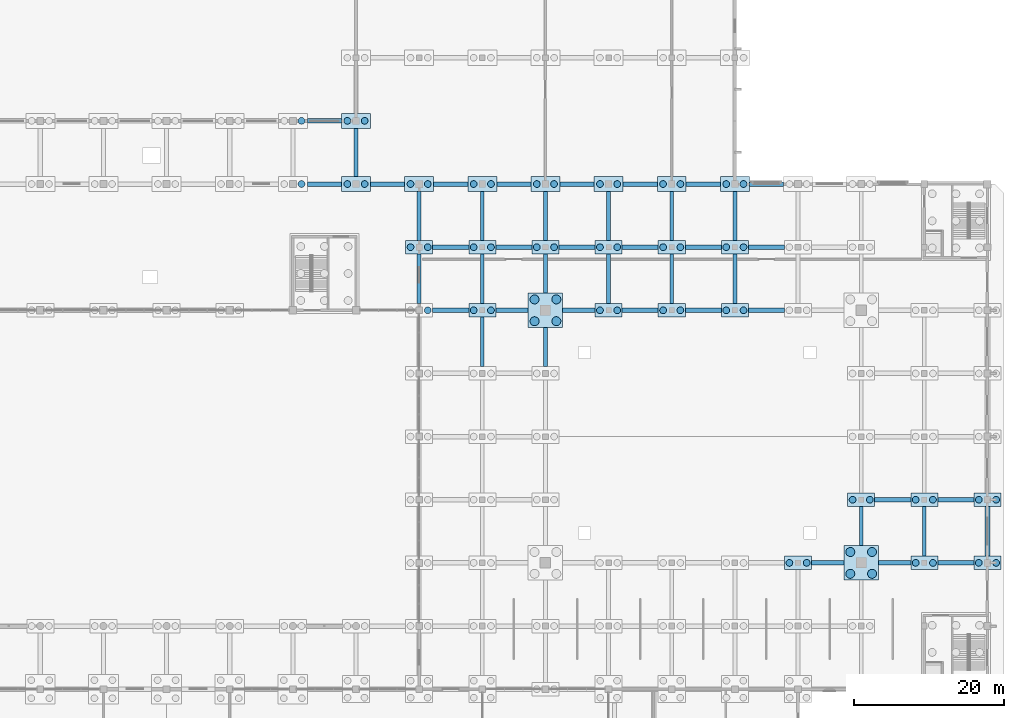
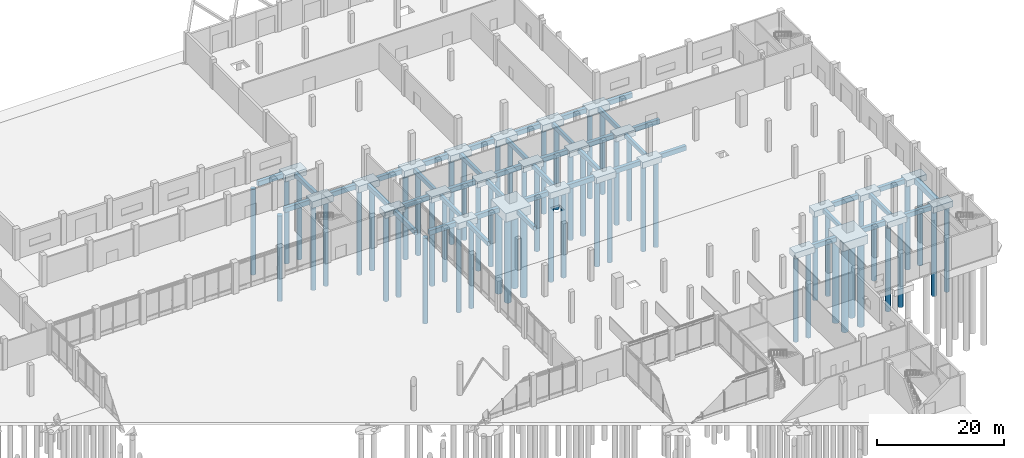
# One storey, part 10 of 72: 70 footings, 59 piles.
"""IFC4 building model written with IfcOpenShell, lengths in metres."""

from ifc_helpers import new_model, si_unit, direction, frame, origin, origin_2d, place, context, subcontext, project, spatial, rectangle, circle, extrude, material, layer, layer_set, material_profile, profile_set, type_object, element, save


model = new_model("IFC4")

# Units and contexts
model_context = context("Model", 3, precision=1e-05, world=origin(), true_north=direction((0.0, 1.0)))
body_context = subcontext(model_context, "Body", "Model", "MODEL_VIEW")
ifc_project = project(units=[si_unit("LENGTHUNIT", "METRE"), si_unit("AREAUNIT", "SQUARE_METRE"), si_unit("VOLUMEUNIT", "CUBIC_METRE"), si_unit("PLANEANGLEUNIT", "RADIAN"), si_unit("MASSUNIT", "GRAM", prefix="KILO")], contexts=[model_context])

# Site, building, storey
site_placement = place(None, origin())
site = spatial("IfcSite", under=ifc_project, at=site_placement, CompositionType="ELEMENT")
building_placement = place(site_placement, origin())
building = spatial("IfcBuilding", under=site, at=building_placement, Name="Qawsi Khor Wholesale Market", CompositionType="ELEMENT")
storey_placement = place(building_placement, origin())
storey = spatial("IfcBuildingStorey", under=building, at=storey_placement, Name="L00", CompositionType="ELEMENT", Elevation=0.0)

# Piles
ifc_material = material(Name="Concrete C45/55", Category="concrete")
ifc_material_profile_1 = material_profile(ifc_material, circle(Radius=0.60009765625, at=origin_2d()), Name="PILE D1200")
ifc_profile_set_1 = profile_set([ifc_material_profile_1], Name="Concrete C45/55")
pile_type_1 = type_object("IfcPileType", Name="Bored Pile D1200 C45/55", PredefinedType="BORED", material=ifc_profile_set_1)
for number, where, z_axis, x_axis, name in (
    (1, (158.14990234375, 90.949951171875, -1.93994140625), (0.0, 0.0, -1.0), (1.0, 0.0, 0.0), "Mega-column pile 19_+11-1"),
    (2, (161.050048828125, 90.949951171875, -1.93994140625), (0.0, 0.0, -1.0), (1.0, 0.0, 0.0), "Mega-column pile 19_+11-2"),
    (3, (158.14990234375, 93.85009765625, -1.93994140625), (0.0, 0.0, -1.0), (1.0, 0.0, 0.0), "Mega-column pile 19_+11-3"),
    (4, (161.050048828125, 93.85009765625, -1.93994140625), (0.0, 0.0, -1.0), (1.0, 0.0, 0.0), "Mega-column pile 19_+11-4"),
    (5, (200.14990234375, 57.35009765625, -1.93994140625), (0.0, 0.0, -1.0), (1.0, 0.0, 0.0), "Mega-column pile 24_+07-1"),
    (6, (203.050048828125, 57.35009765625, -1.93994140625), (0.0, 0.0, -1.0), (1.0, 0.0, 0.0), "Mega-column pile 24_+07-2"),
    (7, (200.14990234375, 60.25, -1.93994140625), (0.0, 0.0, -1.0), (1.0, 0.0, 0.0), "Mega-column pile 24_+07-3"),
    (8, (203.050048828125, 60.25, -1.93994140625), (0.0, 0.0, -1.0), (1.0, 0.0, 0.0), "Mega-column pile 24_+07-4"),
):
    element("IfcPile", number, at=place(storey_placement, frame(where, z_axis=z_axis, x_axis=x_axis)), inside=storey, type_object=pile_type_1, Name=name, PredefinedType="BORED", context=body_context, shape_type="SweptSolid", body=[
        extrude(circle(Radius=0.60009765625, at=origin_2d()), origin(), (0.0, 0.0, 1.0), 16.06005859375),
    ])
ifc_material_profile_2 = material_profile(ifc_material, circle(Radius=0.449951171875, at=origin_2d()), Name="PILE D900")
ifc_profile_set_2 = profile_set([ifc_material_profile_2], Name="Concrete C45/55")
pile_type_2 = type_object("IfcPileType", Name="Bored Pile D900 C45/55", PredefinedType="BORED", material=ifc_profile_set_2)
for number, where, z_axis, x_axis, name in (
    (9, (127.14990234375, 109.199951171875, -1.5), (0.0, 0.0, -1.0), (1.0, 0.0, 0.0), "Bored pile 15_+13-2"),
    (10, (127.14990234375, 117.60009765625, -1.5), (0.0, 0.0, -1.0), (1.0, 0.0, 0.0), "Bored pile 15_+14-2"),
    (11, (133.25, 109.199951171875, -1.5), (0.0, 0.0, -1.0), (1.0, 0.0, 0.0), "Bored pile 16_+13-1"),
    (12, (135.550048828125, 109.199951171875, -1.5), (0.0, 0.0, -1.0), (1.0, 0.0, 0.0), "Bored pile 16_+13-2"),
    (13, (133.25, 117.60009765625, -1.5), (0.0, 0.0, -1.0), (1.0, 0.0, 0.0), "Bored pile 16_+14-1"),
    (14, (135.550048828125, 117.60009765625, -1.5), (0.0, 0.0, -1.0), (1.0, 0.0, 0.0), "Bored pile 16_+14-2"),
    (15, (143.949951171875, 92.39990234375, -1.5), (0.0, 0.0, -1.0), (1.0, 0.0, 0.0), "Bored pile 17_+11-2"),
    (16, (141.64990234375, 100.800048828125, -1.5), (0.0, 0.0, -1.0), (1.0, 0.0, 0.0), "Bored pile 17_+12-1"),
    (17, (143.949951171875, 100.800048828125, -1.5), (0.0, 0.0, -1.0), (1.0, 0.0, 0.0), "Bored pile 17_+12-2"),
    (18, (141.64990234375, 109.199951171875, -1.5), (0.0, 0.0, -1.0), (1.0, 0.0, 0.0), "Bored pile 17_+13-1"),
    (19, (143.949951171875, 109.199951171875, -1.5), (0.0, 0.0, -1.0), (1.0, 0.0, 0.0), "Bored pile 17_+13-2"),
    (20, (150.050048828125, 92.39990234375, -1.5), (0.0, 0.0, -1.0), (1.0, 0.0, 0.0), "Bored pile 18_+11-1"),
    (21, (152.35009765625, 92.39990234375, -1.5), (0.0, 0.0, -1.0), (1.0, 0.0, 0.0), "Bored pile 18_+11-2"),
    (22, (150.050048828125, 100.800048828125, -1.5), (0.0, 0.0, -1.0), (1.0, 0.0, 0.0), "Bored pile 18_+12-1"),
    (23, (152.35009765625, 100.800048828125, -1.5), (0.0, 0.0, -1.0), (1.0, 0.0, 0.0), "Bored pile 18_+12-2"),
    (24, (150.050048828125, 109.199951171875, -1.5), (0.0, 0.0, -1.0), (1.0, 0.0, 0.0), "Bored pile 18_+13-1"),
    (25, (152.35009765625, 109.199951171875, -1.5), (0.0, 0.0, -1.0), (1.0, 0.0, 0.0), "Bored pile 18_+13-2"),
    (26, (158.449951171875, 100.800048828125, -1.5), (0.0, 0.0, -1.0), (1.0, 0.0, 0.0), "Bored pile 19_+12-1"),
    (27, (160.75, 100.800048828125, -1.5), (0.0, 0.0, -1.0), (1.0, 0.0, 0.0), "Bored pile 19_+12-2"),
    (28, (158.449951171875, 109.199951171875, -1.5), (0.0, 0.0, -1.0), (1.0, 0.0, 0.0), "Bored pile 19_+13-1"),
    (29, (160.75, 109.199951171875, -1.5), (0.0, 0.0, -1.0), (1.0, 0.0, 0.0), "Bored pile 19_+13-2"),
    (30, (166.85009765625, 92.39990234375, -1.5), (0.0, 0.0, -1.0), (1.0, 0.0, 0.0), "Bored pile 20_+11-1"),
    (31, (169.14990234375, 92.39990234375, -1.5), (0.0, 0.0, -1.0), (1.0, 0.0, 0.0), "Bored pile 20_+11-2"),
    (32, (166.85009765625, 100.800048828125, -1.5), (0.0, 0.0, -1.0), (1.0, 0.0, 0.0), "Bored pile 20_+12-1"),
    (33, (169.14990234375, 100.800048828125, -1.5), (0.0, 0.0, -1.0), (1.0, 0.0, 0.0), "Bored pile 20_+12-2"),
    (34, (166.85009765625, 109.199951171875, -1.5), (0.0, 0.0, -1.0), (1.0, 0.0, 0.0), "Bored pile 20_+13-1"),
    (35, (169.14990234375, 109.199951171875, -1.5), (0.0, 0.0, -1.0), (1.0, 0.0, 0.0), "Bored pile 20_+13-2"),
    (36, (175.25, 92.39990234375, -1.5), (0.0, 0.0, -1.0), (1.0, 0.0, 0.0), "Bored pile 21_+11-1"),
    (37, (177.550048828125, 92.39990234375, -1.5), (0.0, 0.0, -1.0), (1.0, 0.0, 0.0), "Bored pile 21_+11-2"),
    (38, (175.25, 100.800048828125, -1.5), (0.0, 0.0, -1.0), (1.0, 0.0, 0.0), "Bored pile 21_+12-1"),
    (39, (177.550048828125, 100.800048828125, -1.5), (0.0, 0.0, -1.0), (1.0, 0.0, 0.0), "Bored pile 21_+12-2"),
    (40, (175.25, 109.199951171875, -1.5), (0.0, 0.0, -1.0), (1.0, 0.0, 0.0), "Bored pile 21_+13-1"),
    (41, (177.550048828125, 109.199951171875, -1.5), (0.0, 0.0, -1.0), (1.0, 0.0, 0.0), "Bored pile 21_+13-2"),
    (42, (183.64990234375, 92.39990234375, -1.5), (0.0, 0.0, -1.0), (1.0, 0.0, 0.0), "Bored pile 22_+11-1"),
    (43, (185.949951171875, 92.39990234375, -1.5), (0.0, 0.0, -1.0), (1.0, 0.0, 0.0), "Bored pile 22_+11-2"),
    (44, (183.64990234375, 100.800048828125, -1.5), (0.0, 0.0, -1.0), (1.0, 0.0, 0.0), "Bored pile 22_+12-1"),
    (45, (185.949951171875, 100.800048828125, -1.5), (0.0, 0.0, -1.0), (1.0, 0.0, 0.0), "Bored pile 22_+12-2"),
    (46, (183.64990234375, 109.199951171875, -1.5), (0.0, 0.0, -1.0), (1.0, 0.0, 0.0), "Bored pile 22_+13-1"),
    (47, (185.949951171875, 109.199951171875, -1.5), (0.0, 0.0, -1.0), (1.0, 0.0, 0.0), "Bored pile 22_+13-2"),
    (48, (192.050048828125, 58.800048828125, -1.5), (0.0, 0.0, -1.0), (1.0, 0.0, 0.0), "Bored pile 23_+07-1"),
    (49, (194.35009765625, 58.800048828125, -1.5), (0.0, 0.0, -1.0), (1.0, 0.0, 0.0), "Bored pile 23_+07-2"),
    (50, (200.449951171875, 67.199951171875, -1.5), (0.0, 0.0, -1.0), (1.0, 0.0, 0.0), "Bored pile 24_+08-1"),
    (51, (202.75, 67.199951171875, -1.5), (0.0, 0.0, -1.0), (1.0, 0.0, 0.0), "Bored pile 24_+08-2"),
    (52, (208.85009765625, 58.800048828125, -1.5), (0.0, 0.0, -1.0), (1.0, 0.0, 0.0), "Bored pile 25_+07-1"),
    (53, (211.14990234375, 58.800048828125, -1.5), (0.0, 0.0, -1.0), (1.0, 0.0, 0.0), "Bored pile 25_+07-2"),
    (54, (208.85009765625, 67.199951171875, -1.5), (0.0, 0.0, -1.0), (1.0, 0.0, 0.0), "Bored pile 25_+08-1"),
    (55, (211.14990234375, 67.199951171875, -1.5), (0.0, 0.0, -1.0), (1.0, 0.0, 0.0), "Bored pile 25_+08-2"),
    (56, (217.25, 58.800048828125, -1.5), (0.0, 0.0, -1.0), (1.0, 0.0, 0.0), "Bored pile 26_+07-1"),
    (57, (219.550048828125, 58.800048828125, -1.5), (0.0, 0.0, -1.0), (1.0, 0.0, 0.0), "Bored pile 26_+07-2"),
    (58, (217.25, 67.199951171875, -1.5), (0.0, 0.0, -1.0), (1.0, 0.0, 0.0), "Bored pile 26_+08-1"),
    (59, (219.550048828125, 67.199951171875, -1.5), (0.0, 0.0, -1.0), (1.0, 0.0, 0.0), "Bored pile 26_+08-2"),
):
    element("IfcPile", number, at=place(storey_placement, frame(where, z_axis=z_axis, x_axis=x_axis)), inside=storey, type_object=pile_type_2, Name=name, PredefinedType="BORED", context=body_context, shape_type="SweptSolid", body=[
        extrude(circle(Radius=0.449951171875, at=origin_2d()), origin(), (0.0, 0.0, 1.0), 16.5),
    ])

# Footings
ifc_material_profile_3 = material_profile(ifc_material, rectangle(XDim=0.60009765625, YDim=0.89990234375, at=origin_2d()), Name="RC 600x900")
ifc_profile_set_3 = profile_set([ifc_material_profile_3], Name="Concrete C45/55")
footing_type_1 = type_object("IfcFootingType", Name="Ground Tie-Beam GTB 600x900", PredefinedType="FOOTING_BEAM", material=ifc_profile_set_3)
for number, where, z_axis, x_axis, name in (
    (60, (127.925048828125, 109.199951171875, -0.840087890625), (1.0, 0.0, 0.0), (0.0, 1.0, 0.0), "Ground tie-beam X 15-16 at Y=109.2"),
    (61, (127.925048828125, 117.60009765625, -0.840087890625), (1.0, 0.0, 0.0), (0.0, 1.0, 0.0), "Ground tie-beam X 15-16 at Y=117.6"),
    (62, (136.324951171875, 109.199951171875, -0.840087890625), (1.0, 0.0, 0.0), (0.0, 1.0, 0.0), "Ground tie-beam X 16-17 at Y=109.2"),
):
    element("IfcFooting", number, at=place(storey_placement, frame(where, z_axis=z_axis, x_axis=x_axis)), inside=storey, type_object=footing_type_1, Name=name, PredefinedType="FOOTING_BEAM", context=body_context, shape_type="SweptSolid", body=[
        extrude(rectangle(XDim=0.60009765625, YDim=0.89990234375, at=origin_2d()), origin(), (0.0, 0.0, 1.0), 4.550048828125),
    ])
for number, where, z_axis, x_axis, name in (
    (63, (144.60009765625, 92.39990234375, -0.840087890625), (1.0, 0.0, 0.0), (0.0, 1.0, 0.0), "Ground tie-beam X 17-18 at Y=92.4"),
    (64, (144.60009765625, 100.800048828125, -0.840087890625), (1.0, 0.0, 0.0), (0.0, 1.0, 0.0), "Ground tie-beam X 17-18 at Y=100.8"),
):
    element("IfcFooting", number, at=place(storey_placement, frame(where, z_axis=z_axis, x_axis=x_axis)), inside=storey, type_object=footing_type_1, Name=name, PredefinedType="FOOTING_BEAM", context=body_context, shape_type="SweptSolid", body=[
        extrude(rectangle(XDim=0.60009765625, YDim=0.89990234375, at=origin_2d()), origin(), (0.0, 0.0, 1.0), 4.7998046875),
    ])
footing_1_placement = place(storey_placement, frame((144.72509765625, 109.199951171875, -0.840087890625), z_axis=(1.0, 0.0, 0.0), x_axis=(0.0, 1.0, 0.0)))
element("IfcFooting", 65, at=footing_1_placement, inside=storey, type_object=footing_type_1, Name="Ground tie-beam X 17-18 at Y=109.2", PredefinedType="FOOTING_BEAM", context=body_context, shape_type="SweptSolid", body=[
    extrude(rectangle(XDim=0.60009765625, YDim=0.89990234375, at=origin_2d()), origin(), (0.0, 0.0, 1.0), 4.5498046875),
])
footing_2_placement = place(storey_placement, frame((153.0, 92.39990234375, -0.840087890625), z_axis=(1.0, 0.0, 0.0), x_axis=(0.0, 1.0, 0.0)))
element("IfcFooting", 66, at=footing_2_placement, inside=storey, type_object=footing_type_1, Name="Ground tie-beam X 18-19 at Y=92.4", PredefinedType="FOOTING_BEAM", context=body_context, shape_type="SweptSolid", body=[
    extrude(rectangle(XDim=0.60009765625, YDim=0.89990234375, at=origin_2d()), origin(), (0.0, 0.0, 1.0), 4.300048828125),
])
footing_3_placement = place(storey_placement, frame((153.0, 100.800048828125, -0.840087890625), z_axis=(1.0, 0.0, 0.0), x_axis=(0.0, 1.0, 0.0)))
element("IfcFooting", 67, at=footing_3_placement, inside=storey, type_object=footing_type_1, Name="Ground tie-beam X 18-19 at Y=100.8", PredefinedType="FOOTING_BEAM", context=body_context, shape_type="SweptSolid", body=[
    extrude(rectangle(XDim=0.60009765625, YDim=0.89990234375, at=origin_2d()), origin(), (0.0, 0.0, 1.0), 4.800048828125),
])
footing_4_placement = place(storey_placement, frame((153.125, 109.199951171875, -0.840087890625), z_axis=(1.0, 0.0, 0.0), x_axis=(0.0, 1.0, 0.0)))
element("IfcFooting", 68, at=footing_4_placement, inside=storey, type_object=footing_type_1, Name="Ground tie-beam X 18-19 at Y=109.2", PredefinedType="FOOTING_BEAM", context=body_context, shape_type="SweptSolid", body=[
    extrude(rectangle(XDim=0.60009765625, YDim=0.89990234375, at=origin_2d()), origin(), (0.0, 0.0, 1.0), 4.550048828125),
])
footing_5_placement = place(storey_placement, frame((161.89990234375, 92.39990234375, -0.840087890625), z_axis=(1.0, 0.0, 0.0), x_axis=(0.0, 1.0, 0.0)))
element("IfcFooting", 69, at=footing_5_placement, inside=storey, type_object=footing_type_1, Name="Ground tie-beam X 19-20 at Y=92.4", PredefinedType="FOOTING_BEAM", context=body_context, shape_type="SweptSolid", body=[
    extrude(rectangle(XDim=0.60009765625, YDim=0.89990234375, at=origin_2d()), origin(), (0.0, 0.0, 1.0), 4.300048828125),
])
footing_6_placement = place(storey_placement, frame((161.39990234375, 100.800048828125, -0.840087890625), z_axis=(1.0, 0.0, 0.0), x_axis=(0.0, 1.0, 0.0)))
element("IfcFooting", 70, at=footing_6_placement, inside=storey, type_object=footing_type_1, Name="Ground tie-beam X 19-20 at Y=100.8", PredefinedType="FOOTING_BEAM", context=body_context, shape_type="SweptSolid", body=[
    extrude(rectangle(XDim=0.60009765625, YDim=0.89990234375, at=origin_2d()), origin(), (0.0, 0.0, 1.0), 4.800048828125),
])
footing_7_placement = place(storey_placement, frame((161.52490234375, 109.199951171875, -0.840087890625), z_axis=(1.0, 0.0, 0.0), x_axis=(0.0, 1.0, 0.0)))
element("IfcFooting", 71, at=footing_7_placement, inside=storey, type_object=footing_type_1, Name="Ground tie-beam X 19-20 at Y=109.2", PredefinedType="FOOTING_BEAM", context=body_context, shape_type="SweptSolid", body=[
    extrude(rectangle(XDim=0.60009765625, YDim=0.89990234375, at=origin_2d()), origin(), (0.0, 0.0, 1.0), 4.550048828125),
])
for number, where, z_axis, x_axis, name in (
    (72, (169.800048828125, 92.39990234375, -0.840087890625), (1.0, 0.0, 0.0), (0.0, 1.0, 0.0), "Ground tie-beam X 20-21 at Y=92.4"),
    (73, (169.800048828125, 100.800048828125, -0.840087890625), (1.0, 0.0, 0.0), (0.0, 1.0, 0.0), "Ground tie-beam X 20-21 at Y=100.8"),
):
    element("IfcFooting", number, at=place(storey_placement, frame(where, z_axis=z_axis, x_axis=x_axis)), inside=storey, type_object=footing_type_1, Name=name, PredefinedType="FOOTING_BEAM", context=body_context, shape_type="SweptSolid", body=[
        extrude(rectangle(XDim=0.60009765625, YDim=0.89990234375, at=origin_2d()), origin(), (0.0, 0.0, 1.0), 4.800048828125),
    ])
footing_8_placement = place(storey_placement, frame((169.925048828125, 109.199951171875, -0.840087890625), z_axis=(1.0, 0.0, 0.0), x_axis=(0.0, 1.0, 0.0)))
element("IfcFooting", 74, at=footing_8_placement, inside=storey, type_object=footing_type_1, Name="Ground tie-beam X 20-21 at Y=109.2", PredefinedType="FOOTING_BEAM", context=body_context, shape_type="SweptSolid", body=[
    extrude(rectangle(XDim=0.60009765625, YDim=0.89990234375, at=origin_2d()), origin(), (0.0, 0.0, 1.0), 4.550048828125),
])
for number, where, z_axis, x_axis, name in (
    (75, (178.199951171875, 92.39990234375, -0.840087890625), (1.0, 0.0, 0.0), (0.0, 1.0, 0.0), "Ground tie-beam X 21-22 at Y=92.4"),
    (76, (178.199951171875, 100.800048828125, -0.840087890625), (1.0, 0.0, 0.0), (0.0, 1.0, 0.0), "Ground tie-beam X 21-22 at Y=100.8"),
):
    element("IfcFooting", number, at=place(storey_placement, frame(where, z_axis=z_axis, x_axis=x_axis)), inside=storey, type_object=footing_type_1, Name=name, PredefinedType="FOOTING_BEAM", context=body_context, shape_type="SweptSolid", body=[
        extrude(rectangle(XDim=0.60009765625, YDim=0.89990234375, at=origin_2d()), origin(), (0.0, 0.0, 1.0), 4.800048828125),
    ])
footing_9_placement = place(storey_placement, frame((178.324951171875, 109.199951171875, -0.840087890625), z_axis=(1.0, 0.0, 0.0), x_axis=(0.0, 1.0, 0.0)))
element("IfcFooting", 77, at=footing_9_placement, inside=storey, type_object=footing_type_1, Name="Ground tie-beam X 21-22 at Y=109.2", PredefinedType="FOOTING_BEAM", context=body_context, shape_type="SweptSolid", body=[
    extrude(rectangle(XDim=0.60009765625, YDim=0.89990234375, at=origin_2d()), origin(), (0.0, 0.0, 1.0), 4.550048828125),
])
for number, where, z_axis, x_axis, name in (
    (78, (186.60009765625, 92.39990234375, -0.840087890625), (1.0, 0.0, 0.0), (0.0, 1.0, 0.0), "Ground tie-beam X 22-23 at Y=92.4"),
    (79, (186.60009765625, 100.800048828125, -0.840087890625), (1.0, 0.0, 0.0), (0.0, 1.0, 0.0), "Ground tie-beam X 22-23 at Y=100.8"),
):
    element("IfcFooting", number, at=place(storey_placement, frame(where, z_axis=z_axis, x_axis=x_axis)), inside=storey, type_object=footing_type_1, Name=name, PredefinedType="FOOTING_BEAM", context=body_context, shape_type="SweptSolid", body=[
        extrude(rectangle(XDim=0.60009765625, YDim=0.89990234375, at=origin_2d()), origin(), (0.0, 0.0, 1.0), 4.7998046875),
    ])
footing_10_placement = place(storey_placement, frame((186.72509765625, 109.199951171875, -0.840087890625), z_axis=(1.0, 0.0, 0.0), x_axis=(0.0, 1.0, 0.0)))
element("IfcFooting", 80, at=footing_10_placement, inside=storey, type_object=footing_type_1, Name="Ground tie-beam X 22-23 at Y=109.2", PredefinedType="FOOTING_BEAM", context=body_context, shape_type="SweptSolid", body=[
    extrude(rectangle(XDim=0.60009765625, YDim=0.89990234375, at=origin_2d()), origin(), (0.0, 0.0, 1.0), 4.5498046875),
])
for number, where, z_axis, x_axis, name in (
    (81, (195.0, 58.800048828125, -0.840087890625), (1.0, 0.0, 0.0), (0.0, 1.0, 0.0), "Ground tie-beam X 23-24 at Y=58.8"),
    (82, (203.89990234375, 58.800048828125, -0.840087890625), (1.0, 0.0, 0.0), (0.0, 1.0, 0.0), "Ground tie-beam X 24-25 at Y=58.8"),
):
    element("IfcFooting", number, at=place(storey_placement, frame(where, z_axis=z_axis, x_axis=x_axis)), inside=storey, type_object=footing_type_1, Name=name, PredefinedType="FOOTING_BEAM", context=body_context, shape_type="SweptSolid", body=[
        extrude(rectangle(XDim=0.60009765625, YDim=0.89990234375, at=origin_2d()), origin(), (0.0, 0.0, 1.0), 4.300048828125),
    ])
for number, where, z_axis, x_axis, name in (
    (83, (203.39990234375, 67.199951171875, -0.840087890625), (1.0, 0.0, 0.0), (0.0, 1.0, 0.0), "Ground tie-beam X 24-25 at Y=67.2"),
    (84, (211.800048828125, 58.800048828125, -0.840087890625), (1.0, 0.0, 0.0), (0.0, 1.0, 0.0), "Ground tie-beam X 25-26 at Y=58.8"),
    (85, (211.800048828125, 67.199951171875, -0.840087890625), (1.0, 0.0, 0.0), (0.0, 1.0, 0.0), "Ground tie-beam X 25-26 at Y=67.2"),
):
    element("IfcFooting", number, at=place(storey_placement, frame(where, z_axis=z_axis, x_axis=x_axis)), inside=storey, type_object=footing_type_1, Name=name, PredefinedType="FOOTING_BEAM", context=body_context, shape_type="SweptSolid", body=[
        extrude(rectangle(XDim=0.60009765625, YDim=0.89990234375, at=origin_2d()), origin(), (0.0, 0.0, 1.0), 4.800048828125),
    ])
ifc_material_profile_4 = material_profile(ifc_material, rectangle(XDim=0.5, YDim=0.800048828125, at=origin_2d()), Name="RC 500x800")
ifc_profile_set_4 = profile_set([ifc_material_profile_4], Name="Concrete C45/55")
footing_type_2 = type_object("IfcFootingType", Name="Hall Tie-Beam GTB 500x800", PredefinedType="FOOTING_BEAM", material=ifc_profile_set_4)
footing_11_placement = place(storey_placement, frame((151.199951171875, 84.89990234375, -0.7900390625), z_axis=(0.0, 1.0, 0.0), x_axis=(-1.0, 0.0, 0.0)))
element("IfcFooting", 86, at=footing_11_placement, inside=storey, type_object=footing_type_2, Name="Ground tie-beam Y 10-11 at X=151.2", PredefinedType="FOOTING_BEAM", context=body_context, shape_type="SweptSolid", body=[
    extrude(rectangle(XDim=0.5, YDim=0.800048828125, at=origin_2d()), origin(), (0.0, 0.0, 1.0), 6.60009765625),
])
footing_12_placement = place(storey_placement, frame((151.199951171875, 93.300048828125, -0.7900390625), z_axis=(0.0, 1.0, 0.0), x_axis=(-1.0, 0.0, 0.0)))
element("IfcFooting", 87, at=footing_12_placement, inside=storey, type_object=footing_type_2, Name="Ground tie-beam Y 11-12 at X=151.2", PredefinedType="FOOTING_BEAM", context=body_context, shape_type="SweptSolid", body=[
    extrude(rectangle(XDim=0.5, YDim=0.800048828125, at=origin_2d()), origin(), (0.0, 0.0, 1.0), 6.599853515625),
])
footing_13_placement = place(storey_placement, frame((151.199951171875, 101.699951171875, -0.7900390625), z_axis=(0.0, 1.0, 0.0), x_axis=(-1.0, 0.0, 0.0)))
element("IfcFooting", 88, at=footing_13_placement, inside=storey, type_object=footing_type_2, Name="Ground tie-beam Y 12-13 at X=151.2", PredefinedType="FOOTING_BEAM", context=body_context, shape_type="SweptSolid", body=[
    extrude(rectangle(XDim=0.5, YDim=0.800048828125, at=origin_2d()), origin(), (0.0, 0.0, 1.0), 6.5),
])
footing_14_placement = place(storey_placement, frame((159.60009765625, 84.89990234375, -0.7900390625), z_axis=(0.0, 1.0, 0.0), x_axis=(-1.0, 0.0, 0.0)))
element("IfcFooting", 89, at=footing_14_placement, inside=storey, type_object=footing_type_2, Name="Ground tie-beam Y 10-11 at X=159.6", PredefinedType="FOOTING_BEAM", context=body_context, shape_type="SweptSolid", body=[
    extrude(rectangle(XDim=0.5, YDim=0.800048828125, at=origin_2d()), origin(), (0.0, 0.0, 1.0), 5.2001953125),
])
footing_15_placement = place(storey_placement, frame((159.60009765625, 94.699951171875, -0.7900390625), z_axis=(0.0, 1.0, 0.0), x_axis=(-1.0, 0.0, 0.0)))
element("IfcFooting", 90, at=footing_15_placement, inside=storey, type_object=footing_type_2, Name="Ground tie-beam Y 11-12 at X=159.6", PredefinedType="FOOTING_BEAM", context=body_context, shape_type="SweptSolid", body=[
    extrude(rectangle(XDim=0.5, YDim=0.800048828125, at=origin_2d()), origin(), (0.0, 0.0, 1.0), 5.199951171875),
])
footing_16_placement = place(storey_placement, frame((159.60009765625, 101.699951171875, -0.7900390625), z_axis=(0.0, 1.0, 0.0), x_axis=(-1.0, 0.0, 0.0)))
element("IfcFooting", 91, at=footing_16_placement, inside=storey, type_object=footing_type_2, Name="Ground tie-beam Y 12-13 at X=159.6", PredefinedType="FOOTING_BEAM", context=body_context, shape_type="SweptSolid", body=[
    extrude(rectangle(XDim=0.5, YDim=0.800048828125, at=origin_2d()), origin(), (0.0, 0.0, 1.0), 6.5),
])
footing_17_placement = place(storey_placement, frame((168.0, 93.300048828125, -0.7900390625), z_axis=(0.0, 1.0, 0.0), x_axis=(-1.0, 0.0, 0.0)))
element("IfcFooting", 92, at=footing_17_placement, inside=storey, type_object=footing_type_2, Name="Ground tie-beam Y 11-12 at X=168.0", PredefinedType="FOOTING_BEAM", context=body_context, shape_type="SweptSolid", body=[
    extrude(rectangle(XDim=0.5, YDim=0.800048828125, at=origin_2d()), origin(), (0.0, 0.0, 1.0), 6.599853515625),
])
footing_18_placement = place(storey_placement, frame((168.0, 101.699951171875, -0.7900390625), z_axis=(0.0, 1.0, 0.0), x_axis=(-1.0, 0.0, 0.0)))
element("IfcFooting", 93, at=footing_18_placement, inside=storey, type_object=footing_type_2, Name="Ground tie-beam Y 12-13 at X=168.0", PredefinedType="FOOTING_BEAM", context=body_context, shape_type="SweptSolid", body=[
    extrude(rectangle(XDim=0.5, YDim=0.800048828125, at=origin_2d()), origin(), (0.0, 0.0, 1.0), 6.5),
])
footing_19_placement = place(storey_placement, frame((176.39990234375, 93.300048828125, -0.7900390625), z_axis=(0.0, 1.0, 0.0), x_axis=(-1.0, 0.0, 0.0)))
element("IfcFooting", 94, at=footing_19_placement, inside=storey, type_object=footing_type_2, Name="Ground tie-beam Y 11-12 at X=176.4", PredefinedType="FOOTING_BEAM", context=body_context, shape_type="SweptSolid", body=[
    extrude(rectangle(XDim=0.5, YDim=0.800048828125, at=origin_2d()), origin(), (0.0, 0.0, 1.0), 6.599853515625),
])
footing_20_placement = place(storey_placement, frame((176.39990234375, 101.699951171875, -0.7900390625), z_axis=(0.0, 1.0, 0.0), x_axis=(-1.0, 0.0, 0.0)))
element("IfcFooting", 95, at=footing_20_placement, inside=storey, type_object=footing_type_2, Name="Ground tie-beam Y 12-13 at X=176.4", PredefinedType="FOOTING_BEAM", context=body_context, shape_type="SweptSolid", body=[
    extrude(rectangle(XDim=0.5, YDim=0.800048828125, at=origin_2d()), origin(), (0.0, 0.0, 1.0), 6.5),
])
footing_21_placement = place(storey_placement, frame((184.800048828125, 93.300048828125, -0.7900390625), z_axis=(0.0, 1.0, 0.0), x_axis=(-1.0, 0.0, 0.0)))
element("IfcFooting", 96, at=footing_21_placement, inside=storey, type_object=footing_type_2, Name="Ground tie-beam Y 11-12 at X=184.8", PredefinedType="FOOTING_BEAM", context=body_context, shape_type="SweptSolid", body=[
    extrude(rectangle(XDim=0.5, YDim=0.800048828125, at=origin_2d()), origin(), (0.0, 0.0, 1.0), 6.599853515625),
])
footing_22_placement = place(storey_placement, frame((184.800048828125, 101.699951171875, -0.7900390625), z_axis=(0.0, 1.0, 0.0), x_axis=(-1.0, 0.0, 0.0)))
element("IfcFooting", 97, at=footing_22_placement, inside=storey, type_object=footing_type_2, Name="Ground tie-beam Y 12-13 at X=184.8", PredefinedType="FOOTING_BEAM", context=body_context, shape_type="SweptSolid", body=[
    extrude(rectangle(XDim=0.5, YDim=0.800048828125, at=origin_2d()), origin(), (0.0, 0.0, 1.0), 6.5),
])
footing_23_placement = place(storey_placement, frame((201.60009765625, 61.10009765625, -0.7900390625), z_axis=(0.0, 1.0, 0.0), x_axis=(-1.0, 0.0, 0.0)))
element("IfcFooting", 98, at=footing_23_placement, inside=storey, type_object=footing_type_2, Name="Ground tie-beam Y 7-8 at X=201.6", PredefinedType="FOOTING_BEAM", context=body_context, shape_type="SweptSolid", body=[
    extrude(rectangle(XDim=0.5, YDim=0.800048828125, at=origin_2d()), origin(), (0.0, 0.0, 1.0), 5.199951171875),
])
footing_24_placement = place(storey_placement, frame((210.0, 59.699951171875, -0.7900390625), z_axis=(0.0, 1.0, 0.0), x_axis=(-1.0, 0.0, 0.0)))
element("IfcFooting", 99, at=footing_24_placement, inside=storey, type_object=footing_type_2, Name="Ground tie-beam Y 7-8 at X=210.0", PredefinedType="FOOTING_BEAM", context=body_context, shape_type="SweptSolid", body=[
    extrude(rectangle(XDim=0.5, YDim=0.800048828125, at=origin_2d()), origin(), (0.0, 0.0, 1.0), 6.60009765625),
])
ifc_material_profile_5 = material_profile(ifc_material, rectangle(XDim=0.550048828125, YDim=0.85009765625, at=origin_2d()), Name="RC 550x850")
ifc_profile_set_5 = profile_set([ifc_material_profile_5], Name="Concrete C45/55")
footing_type_3 = type_object("IfcFootingType", Name="Internal Tie-Beam GTB 550x850", PredefinedType="FOOTING_BEAM", material=ifc_profile_set_5)
footing_25_placement = place(storey_placement, frame((134.39990234375, 110.199951171875, -0.81494140625), z_axis=(0.0, 1.0, 0.0), x_axis=(-1.0, 0.0, 0.0)))
element("IfcFooting", 100, at=footing_25_placement, inside=storey, type_object=footing_type_3, Name="Ground tie-beam Y 13-14 at X=134.4", PredefinedType="FOOTING_BEAM", context=body_context, shape_type="SweptSolid", body=[
    extrude(rectangle(XDim=0.550048828125, YDim=0.85009765625, at=origin_2d()), origin(), (0.0, 0.0, 1.0), 6.400146484375),
])
footing_26_placement = place(storey_placement, frame((142.800048828125, 93.300048828125, -0.81494140625), z_axis=(0.0, 1.0, 0.0), x_axis=(-1.0, 0.0, 0.0)))
element("IfcFooting", 101, at=footing_26_placement, inside=storey, type_object=footing_type_3, Name="Ground tie-beam Y 11-12 at X=142.8", PredefinedType="FOOTING_BEAM", context=body_context, shape_type="SweptSolid", body=[
    extrude(rectangle(XDim=0.550048828125, YDim=0.85009765625, at=origin_2d()), origin(), (0.0, 0.0, 1.0), 6.599853515625),
])
footing_27_placement = place(storey_placement, frame((142.800048828125, 101.699951171875, -0.81494140625), z_axis=(0.0, 1.0, 0.0), x_axis=(-1.0, 0.0, 0.0)))
element("IfcFooting", 102, at=footing_27_placement, inside=storey, type_object=footing_type_3, Name="Ground tie-beam Y 12-13 at X=142.8", PredefinedType="FOOTING_BEAM", context=body_context, shape_type="SweptSolid", body=[
    extrude(rectangle(XDim=0.550048828125, YDim=0.85009765625, at=origin_2d()), origin(), (0.0, 0.0, 1.0), 6.5),
])
ifc_layer_1 = layer(ifc_material, 1.64990234375, Name="Concrete C45/55")
ifc_layer_set_1 = layer_set([ifc_layer_1], Name="Concrete C45/55")
footing_type_4 = type_object("IfcFootingType", Name="Mega-Column Pile Cap PC-4M 4600x4600x1650", PredefinedType="PILE_CAP", material=ifc_layer_set_1)
for number, where, z_axis, x_axis, name in (
    (103, (159.60009765625, 92.39990234375, -2.010009765625), (0.0, 0.0, 1.0), (1.0, 0.0, 0.0), "Mega-column pile cap 19_+11"),
    (104, (201.60009765625, 58.800048828125, -2.010009765625), (0.0, 0.0, 1.0), (1.0, 0.0, 0.0), "Mega-column pile cap 24_+07"),
):
    element("IfcFooting", number, at=place(storey_placement, frame(where, z_axis=z_axis, x_axis=x_axis)), inside=storey, type_object=footing_type_4, Name=name, PredefinedType="PILE_CAP", context=body_context, shape_type="SweptSolid", body=[
        extrude(rectangle(XDim=4.60009765625, YDim=4.60009765625, at=origin_2d()), origin(), (0.0, 0.0, 1.0), 1.64990234375),
    ])
ifc_material_profile_6 = material_profile(ifc_material, rectangle(XDim=0.699951171875, YDim=1.10009765625, at=origin_2d()), Name="RC 700x1100")
ifc_profile_set_6 = profile_set([ifc_material_profile_6], Name="Concrete C45/55")
footing_type_5 = type_object("IfcFootingType", Name="Perimeter Strip Footing SF 700x1100", PredefinedType="STRIP_FOOTING", material=ifc_profile_set_6)
footing_28_placement = place(storey_placement, frame((218.39990234375, 59.699951171875, -0.93994140625), z_axis=(0.0, 1.0, 0.0), x_axis=(-1.0, 0.0, 0.0)))
element("IfcFooting", 105, at=footing_28_placement, inside=storey, type_object=footing_type_5, Name="Ground tie-beam Y 7-8 at X=218.4", PredefinedType="STRIP_FOOTING", context=body_context, shape_type="SweptSolid", body=[
    extrude(rectangle(XDim=0.699951171875, YDim=1.10009765625, at=origin_2d()), origin(), (0.0, 0.0, 1.0), 6.60009765625),
])
ifc_layer_2 = layer(ifc_material, 1.25, Name="Concrete C45/55")
ifc_layer_set_2 = layer_set([ifc_layer_2], Name="Concrete C45/55")
footing_type_6 = type_object("IfcFootingType", Name="Pile Cap PC-2H 3850x2000x1250", PredefinedType="PILE_CAP", material=ifc_layer_set_2)
for number, where, z_axis, x_axis, name in (
    (106, (134.39990234375, 109.199951171875, -1.610107421875), (0.0, 0.0, 1.0), (1.0, 0.0, 0.0), "Two-pile cap 16_+13"),
    (107, (134.39990234375, 117.60009765625, -1.610107421875), (0.0, 0.0, 1.0), (1.0, 0.0, 0.0), "Two-pile cap 16_+14"),
    (108, (142.800048828125, 109.199951171875, -1.610107421875), (0.0, 0.0, 1.0), (1.0, 0.0, 0.0), "Two-pile cap 17_+13"),
    (109, (151.199951171875, 109.199951171875, -1.610107421875), (0.0, 0.0, 1.0), (1.0, 0.0, 0.0), "Two-pile cap 18_+13"),
    (110, (159.60009765625, 109.199951171875, -1.610107421875), (0.0, 0.0, 1.0), (1.0, 0.0, 0.0), "Two-pile cap 19_+13"),
    (111, (168.0, 109.199951171875, -1.610107421875), (0.0, 0.0, 1.0), (1.0, 0.0, 0.0), "Two-pile cap 20_+13"),
    (112, (176.39990234375, 109.199951171875, -1.610107421875), (0.0, 0.0, 1.0), (1.0, 0.0, 0.0), "Two-pile cap 21_+13"),
    (113, (184.800048828125, 109.199951171875, -1.610107421875), (0.0, 0.0, 1.0), (1.0, 0.0, 0.0), "Two-pile cap 22_+13"),
):
    element("IfcFooting", number, at=place(storey_placement, frame(where, z_axis=z_axis, x_axis=x_axis)), inside=storey, type_object=footing_type_6, Name=name, PredefinedType="PILE_CAP", context=body_context, shape_type="SweptSolid", body=[
        extrude(rectangle(XDim=3.85009765625, YDim=2.0, at=origin_2d()), origin(), (0.0, 0.0, 1.0), 1.25),
    ])
ifc_layer_3 = layer(ifc_material, 1.14990234375, Name="Concrete C45/55")
ifc_layer_set_3 = layer_set([ifc_layer_3], Name="Concrete C45/55")
footing_type_7 = type_object("IfcFootingType", Name="Pile Cap PC-2P 3600x1800x1150", PredefinedType="PILE_CAP", material=ifc_layer_set_3)
for number, where, z_axis, x_axis, name in (
    (114, (142.800048828125, 100.800048828125, -1.510009765625), (0.0, 0.0, 1.0), (1.0, 0.0, 0.0), "Two-pile cap 17_+12"),
    (115, (151.199951171875, 92.39990234375, -1.510009765625), (0.0, 0.0, 1.0), (1.0, 0.0, 0.0), "Two-pile cap 18_+11"),
    (116, (151.199951171875, 100.800048828125, -1.510009765625), (0.0, 0.0, 1.0), (1.0, 0.0, 0.0), "Two-pile cap 18_+12"),
    (117, (159.60009765625, 100.800048828125, -1.510009765625), (0.0, 0.0, 1.0), (1.0, 0.0, 0.0), "Two-pile cap 19_+12"),
    (118, (168.0, 92.39990234375, -1.510009765625), (0.0, 0.0, 1.0), (1.0, 0.0, 0.0), "Two-pile cap 20_+11"),
    (119, (168.0, 100.800048828125, -1.510009765625), (0.0, 0.0, 1.0), (1.0, 0.0, 0.0), "Two-pile cap 20_+12"),
    (120, (176.39990234375, 92.39990234375, -1.510009765625), (0.0, 0.0, 1.0), (1.0, 0.0, 0.0), "Two-pile cap 21_+11"),
    (121, (176.39990234375, 100.800048828125, -1.510009765625), (0.0, 0.0, 1.0), (1.0, 0.0, 0.0), "Two-pile cap 21_+12"),
    (122, (184.800048828125, 92.39990234375, -1.510009765625), (0.0, 0.0, 1.0), (1.0, 0.0, 0.0), "Two-pile cap 22_+11"),
    (123, (184.800048828125, 100.800048828125, -1.510009765625), (0.0, 0.0, 1.0), (1.0, 0.0, 0.0), "Two-pile cap 22_+12"),
    (124, (193.199951171875, 58.800048828125, -1.510009765625), (0.0, 0.0, 1.0), (1.0, 0.0, 0.0), "Two-pile cap 23_+07"),
    (125, (201.60009765625, 67.199951171875, -1.510009765625), (0.0, 0.0, 1.0), (1.0, 0.0, 0.0), "Two-pile cap 24_+08"),
    (126, (210.0, 58.800048828125, -1.510009765625), (0.0, 0.0, 1.0), (1.0, 0.0, 0.0), "Two-pile cap 25_+07"),
    (127, (210.0, 67.199951171875, -1.510009765625), (0.0, 0.0, 1.0), (1.0, 0.0, 0.0), "Two-pile cap 25_+08"),
    (128, (218.39990234375, 58.800048828125, -1.510009765625), (0.0, 0.0, 1.0), (1.0, 0.0, 0.0), "Two-pile cap 26_+07"),
    (129, (218.39990234375, 67.199951171875, -1.510009765625), (0.0, 0.0, 1.0), (1.0, 0.0, 0.0), "Two-pile cap 26_+08"),
):
    element("IfcFooting", number, at=place(storey_placement, frame(where, z_axis=z_axis, x_axis=x_axis)), inside=storey, type_object=footing_type_7, Name=name, PredefinedType="PILE_CAP", context=body_context, shape_type="SweptSolid", body=[
        extrude(rectangle(XDim=3.60009765625, YDim=1.800048828125, at=origin_2d()), origin(), (0.0, 0.0, 1.0), 1.14990234375),
    ])

save(model, "model.ifc")
